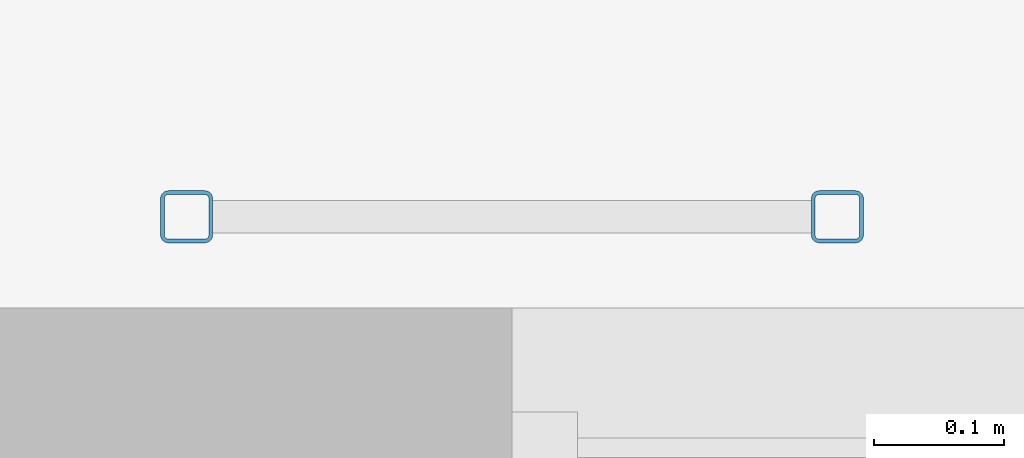
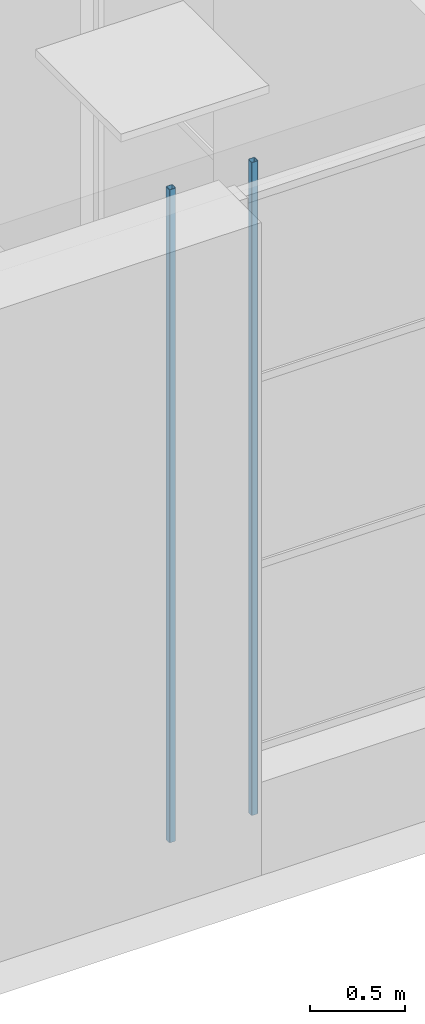
# One storey, part 55 of 66: 2 discrete accessories.
"""IFC4 building model written with IfcOpenShell, lengths in metres."""

import ifcopenshell
import ifcopenshell.guid

model = None  # the IFC model being written
_history = None  # IfcOwnerHistory: only IFC2X3 demands one
_inside = {}  # id of a spatial element -> (the spatial element, [elements in it])
_under = {}  # id of a project, library or spatial element -> (it, [spatial elements below it])
_declared = {}  # id of a project -> (the project, [libraries it declares])
_typed = {}  # id of a type object -> (the type object, [elements of that type])
_made_of = {}  # id of a material, layer set ... -> (it, [elements and type objects made of it])


def new_model(schema):
    """Start an empty IFC model of exactly this schema.

    Asked for "IFC4X3", IfcOpenShell would pick the latest addendum, in which some entities
    have other attributes; the version numbers below select the first issue.
    IFC2X3 requires an IfcOwnerHistory on every rooted entity: one is made here for all.
    """
    global model, _history
    if schema == "IFC4X3":
        model = ifcopenshell.file(schema_version=(4, 3, 0, 0))
    else:
        model = ifcopenshell.file(schema=schema)
    _inside.clear()
    _under.clear()
    _declared.clear()
    _typed.clear()
    _made_of.clear()
    _history = None
    if model.schema == "IFC2X3":
        org = make("IfcOrganization", Name="unknown")
        user = make(
            "IfcPersonAndOrganization",
            ThePerson=make("IfcPerson", FamilyName="unknown"),
            TheOrganization=org,
        )
        app = make(
            "IfcApplication",
            ApplicationDeveloper=org,
            Version="unknown",
            ApplicationFullName="unknown",
            ApplicationIdentifier="unknown",
        )
        _history = make(
            "IfcOwnerHistory",
            OwningUser=user,
            OwningApplication=app,
            ChangeAction="ADDED",
            CreationDate=0,
        )
    return model


def make(cls, **values):
    """One entity of the class cls with the attributes given. An attribute that is None is left unset."""
    return model.create_entity(
        cls, **{name: value for name, value in values.items() if value is not None}
    )


def rooted(cls, **values):
    """An entity with a GlobalId (a new one), such as an element, a storey or a relation."""
    return make(cls, GlobalId=ifcopenshell.guid.new(), OwnerHistory=_history, **values)


def si_unit(unit_type, name, prefix=None):
    """IfcSIUnit, for example si_unit("LENGTHUNIT", "METRE", prefix="MILLI")."""
    return make("IfcSIUnit", UnitType=unit_type, Prefix=prefix, Name=name)


def assignment(units):
    """IfcUnitAssignment: the units of a project."""
    return None if units is None else make("IfcUnitAssignment", Units=units)


def point(xyz):
    """IfcCartesianPoint."""
    return None if xyz is None else make("IfcCartesianPoint", Coordinates=xyz)


def direction(xyz):
    """IfcDirection."""
    return None if xyz is None else make("IfcDirection", DirectionRatios=xyz)


def frame(location, z_axis=None, x_axis=None):
    """IfcAxis2Placement3D, a coordinate frame: its origin and axes. An axis left out is left unset."""
    return make(
        "IfcAxis2Placement3D",
        Location=point(location),
        Axis=direction(z_axis),
        RefDirection=direction(x_axis),
    )


def frame_2d(location, x_axis=None):
    """IfcAxis2Placement2D, a coordinate frame in the plane: its origin and x axis."""
    return make(
        "IfcAxis2Placement2D", Location=point(location), RefDirection=direction(x_axis)
    )


def origin():
    """The frame at (0, 0, 0) with its axes left unset."""
    return frame((0.0, 0.0, 0.0))


def origin_2d():
    """The frame at (0, 0) in the plane with its x axis left unset."""
    return frame_2d((0.0, 0.0))


def place(relative_to, where):
    """IfcLocalPlacement: puts the frame where relative to a parent placement (None: the world)."""
    return make(
        "IfcLocalPlacement", PlacementRelTo=relative_to, RelativePlacement=where
    )


def context(
    kind, dimensions, precision=None, world=None, true_north=None, identifier=None
):
    """IfcGeometricRepresentationContext, for example the 3D "Model" context."""
    return make(
        "IfcGeometricRepresentationContext",
        ContextIdentifier=identifier,
        ContextType=kind,
        CoordinateSpaceDimension=dimensions,
        Precision=precision,
        WorldCoordinateSystem=world,
        TrueNorth=true_north,
    )


def subcontext(parent, identifier, kind, view, scale=None):
    """IfcGeometricRepresentationSubContext, for example "Body" below "Model"."""
    return make(
        "IfcGeometricRepresentationSubContext",
        ContextIdentifier=identifier,
        ContextType=kind,
        ParentContext=parent,
        TargetScale=scale,
        TargetView=view,
    )


def project(units=None, contexts=None):
    """IfcProject with its units and contexts."""
    return rooted(
        "IfcProject",
        Name="project",
        RepresentationContexts=contexts,
        UnitsInContext=assignment(units),
    )


def spatial(cls, under=None, at=None, **own):
    """A site, building, storey or space (cls), placed at a placement, below another one or the project."""
    s = rooted(cls, ObjectPlacement=at, **own)
    if under is not None:
        _under.setdefault(under.id(), (under, []))[1].append(s)
    return s


def profile(cls, at=None, kind="AREA", **sizes):
    """A parametric profile (cls). Its sizes go by their IFC names, for example OverallWidth=200.0."""
    return make(cls, ProfileType=kind, Position=at, **sizes)


def hollow_rectangle(**sizes):
    """IfcRectangleHollowProfileDef."""
    return profile("IfcRectangleHollowProfileDef", **sizes)


def extrude(swept, where, along, depth):
    """IfcExtrudedAreaSolid: the profile swept, set in the frame where, extruded along a direction by depth."""
    return make(
        "IfcExtrudedAreaSolid",
        SweptArea=swept,
        Position=where,
        ExtrudedDirection=direction(along),
        Depth=depth,
    )


def shape(context_of_items, identifier, shape_type, items):
    """IfcShapeRepresentation: the items that make up one representation, for example the "Body"."""
    return make(
        "IfcShapeRepresentation",
        ContextOfItems=context_of_items,
        RepresentationIdentifier=identifier,
        RepresentationType=shape_type,
        Items=items,
    )


def material(Name=None, Category=None):
    """IfcMaterial."""
    return make("IfcMaterial", Name=Name, Category=Category)


def material_profile(
    of_material, cross_section, Name=None, Category=None, Priority=None
):
    """IfcMaterialProfile: a cross section and its material."""
    return make(
        "IfcMaterialProfile",
        Name=Name,
        Material=of_material,
        Profile=cross_section,
        Priority=Priority,
        Category=Category,
    )


def profile_set(profiles, Name=None, composite=None):
    """IfcMaterialProfileSet."""
    return make(
        "IfcMaterialProfileSet",
        Name=Name,
        MaterialProfiles=profiles,
        CompositeProfile=composite,
    )


def made_of(thing, what):
    """Note that an element or type object is made of a material, layer set ...; save() writes the relation."""
    if what is not None:
        _made_of.setdefault(what.id(), (what, []))[1].append(thing)
    return thing


def type_object(cls, material=None, **own):
    """A type object (cls), such as IfcWallType, which elements share."""
    return made_of(rooted(cls, **own), material)


def element(
    cls,
    number,
    at=None,
    inside=None,
    cuts=None,
    type_object=None,
    material=None,
    context=None,
    identifier="Body",
    shape_type=None,
    held_by="IfcProductDefinitionShape",
    body=None,
    shapes=None,
    **own,
):
    """One element of the class cls, such as IfcWall. Its Tag is "e" and its number.

    at: its placement. inside: the storey or other place that contains it. cuts: it is an
    opening in that element (IfcRelVoidsElement). A single representation is given by context,
    identifier, shape_type and body (its items); several are given by shapes. held_by: the class
    of the entity that holds the representations. save() writes the other relations.
    """
    e = rooted(cls, Tag="e%d" % number, ObjectPlacement=at, **own)
    if body is not None:
        shapes = [shape(context, identifier, shape_type, body)]
    if shapes is not None:
        e.Representation = make(held_by, Representations=shapes)
    if inside is not None:
        _inside.setdefault(inside.id(), (inside, []))[1].append(e)
    if cuts is not None:
        rooted(
            "IfcRelVoidsElement", RelatingBuildingElement=cuts, RelatedOpeningElement=e
        )
    if type_object is not None:
        _typed.setdefault(type_object.id(), (type_object, []))[1].append(e)
    return made_of(e, material)


def aggregate(whole, parts):
    """IfcRelAggregates: a whole, such as a stair, and the parts it consists of."""
    return rooted("IfcRelAggregates", RelatingObject=whole, RelatedObjects=parts)


def save(model, path):
    """Write the relations noted so far, then the file.

    IfcRelAggregates (storeys below a building ...), IfcRelContainedInSpatialStructure (elements
    in a storey), IfcRelDefinesByType, IfcRelAssociatesMaterial and IfcRelDeclares: one each for
    every whole, place, type object, material and project.
    """
    for whole, parts in _under.values():
        aggregate(whole, parts)
    for where, things in _inside.values():
        rooted(
            "IfcRelContainedInSpatialStructure",
            RelatedElements=things,
            RelatingStructure=where,
        )
    for kind, things in _typed.values():
        rooted("IfcRelDefinesByType", RelatedObjects=things, RelatingType=kind)
    for what, things in _made_of.values():
        rooted("IfcRelAssociatesMaterial", RelatedObjects=things, RelatingMaterial=what)
    for by, libraries in _declared.values():
        rooted("IfcRelDeclares", RelatingContext=by, RelatedDefinitions=libraries)
    model.write(path)


model = new_model("IFC4")

# Units and contexts
model_context = context("Model", 3, precision=1e-05, world=origin(), true_north=direction((0.0, 1.0)))
body_context = subcontext(model_context, "Body", "Model", "MODEL_VIEW")
ifc_project = project(units=[si_unit("LENGTHUNIT", "METRE"), si_unit("AREAUNIT", "SQUARE_METRE"), si_unit("VOLUMEUNIT", "CUBIC_METRE"), si_unit("PLANEANGLEUNIT", "RADIAN"), si_unit("MASSUNIT", "GRAM", prefix="KILO")], contexts=[model_context])

# Site, building, storey
site_placement = place(None, origin())
site = spatial("IfcSite", under=ifc_project, at=site_placement, CompositionType="ELEMENT")
building_placement = place(site_placement, origin())
building = spatial("IfcBuilding", under=site, at=building_placement, Name="Yavir Park General Hospital", CompositionType="ELEMENT")
storey_placement = place(building_placement, frame((0.0, 0.0, 8.39990234375)))
storey = spatial("IfcBuildingStorey", under=building, at=storey_placement, Name="L02", CompositionType="ELEMENT", Elevation=8.39990234375)

# Discrete accessories
ifc_material = material(Name="Steel S355", Category="steel")
ifc_material_profile = material_profile(ifc_material, hollow_rectangle(XDim=0.0400390625, YDim=0.0400390625, WallThickness=0.0029296875, InnerFilletRadius=0.0029296875, OuterFilletRadius=0.006103515625, at=origin_2d()), Name="RHS40x40x3")
ifc_profile_set = profile_set([ifc_material_profile], Name="Steel S355")
discrete_accessory_type = type_object("IfcDiscreteAccessoryType", Name="Ladder stringer SHS 40", PredefinedType="BRACKET", material=ifc_profile_set)
for number, where, z_axis, x_axis, name in (
    (1, (165.89990234375, 109.419921875, 0.0), (0.0, 0.0, 1.0), (1.0, 0.0, 0.0), "Ladder stringer ES3 A"),
    (2, (166.39990234375, 109.419921875, 0.0), (0.0, 0.0, 1.0), (1.0, 0.0, 0.0), "Ladder stringer ES3 B"),
):
    element("IfcDiscreteAccessory", number, at=place(storey_placement, frame(where, z_axis=z_axis, x_axis=x_axis)), inside=storey, type_object=discrete_accessory_type, Name=name, PredefinedType="BRACKET", context=body_context, shape_type="SweptSolid", body=[
        extrude(hollow_rectangle(XDim=0.0400390625, YDim=0.0400390625, WallThickness=0.0029296875, InnerFilletRadius=0.0029296875, OuterFilletRadius=0.006103515625, at=origin_2d()), origin(), (0.0, 0.0, 1.0), 4.199951171875),
    ])

save(model, "model.ifc")
